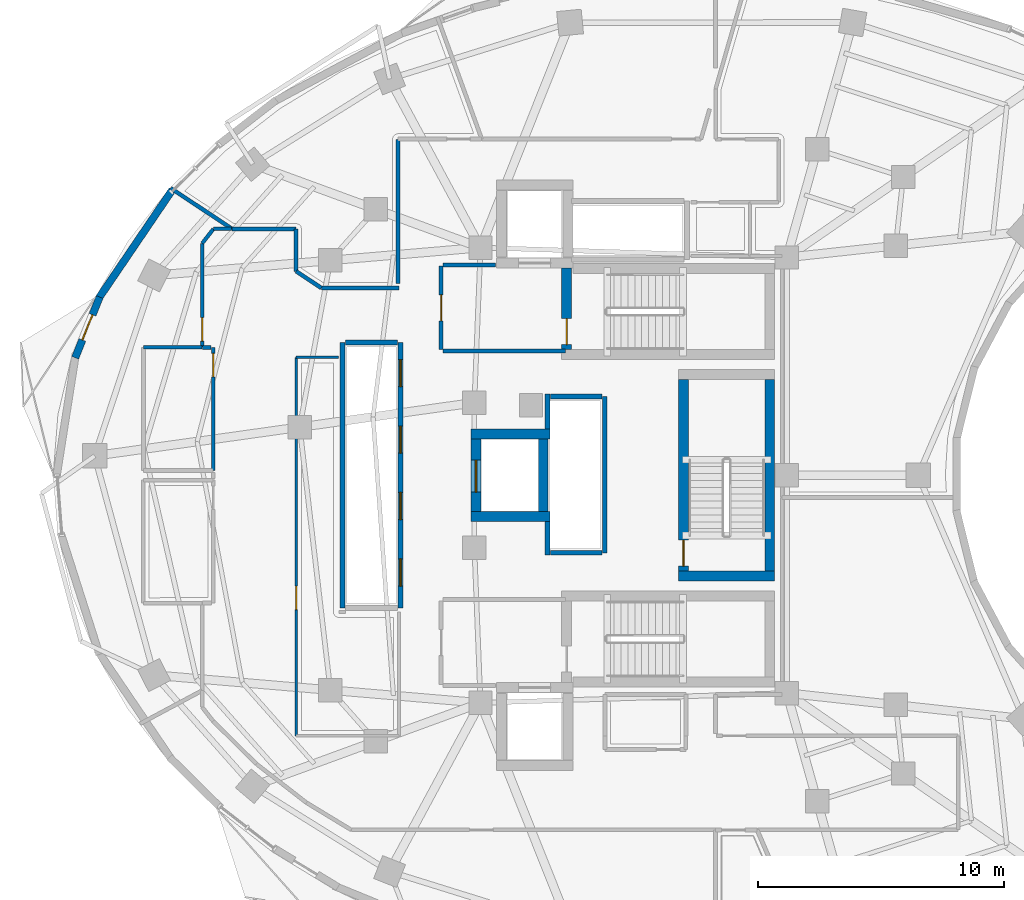
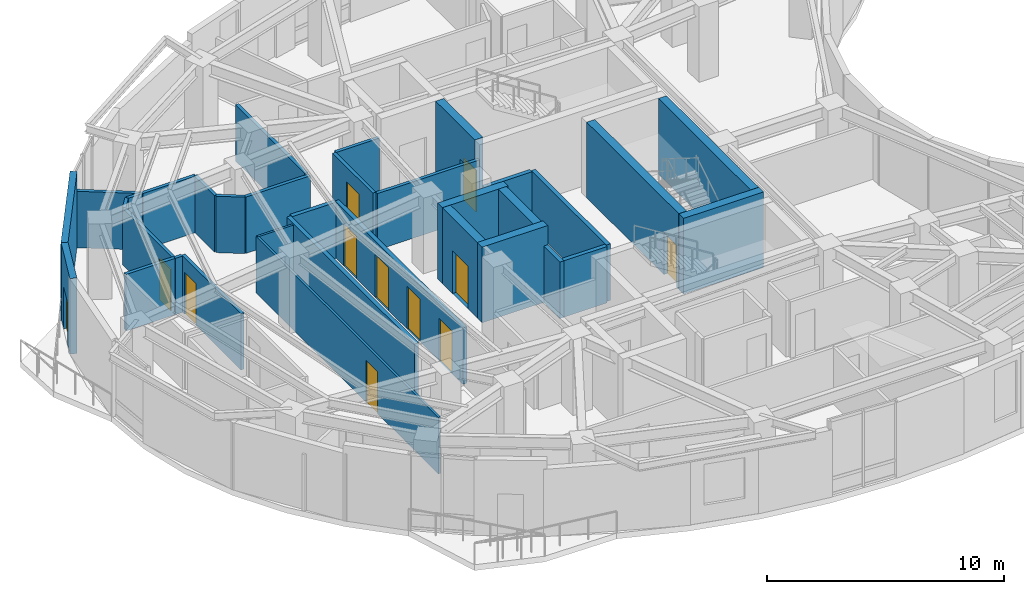
# One storey, part 8 of 13: 35 walls, 12 doors, 12 openings.
"""IFC4 building model written with IfcOpenShell, lengths in metres."""

from ifc_helpers import new_model, si_unit, direction, frame, frame_2d, origin, place, context, subcontext, project, spatial, rectangle, extrude, material, layer, layer_set, type_object, element, fill, save


model = new_model("IFC4")

# Units and contexts
model_context = context("Model", 3, precision=1e-05, world=origin(), true_north=direction((0.0, 1.0)))
body_context = subcontext(model_context, "Body", "Model", "MODEL_VIEW")
ifc_project = project(units=[si_unit("LENGTHUNIT", "METRE"), si_unit("AREAUNIT", "SQUARE_METRE"), si_unit("VOLUMEUNIT", "CUBIC_METRE"), si_unit("PLANEANGLEUNIT", "RADIAN"), si_unit("MASSUNIT", "GRAM", prefix="KILO")], contexts=[model_context])

# Site, building, storey
site_placement = place(None, origin())
site = spatial("IfcSite", under=ifc_project, at=site_placement, CompositionType="ELEMENT")
building_placement = place(site_placement, origin())
building = spatial("IfcBuilding", under=site, at=building_placement, Name="Korentha Bioscience Tower", CompositionType="ELEMENT")
storey_placement = place(building_placement, frame((0.0, 0.0, 171.0)))
storey = spatial("IfcBuildingStorey", under=building, at=storey_placement, Name="L39", CompositionType="ELEMENT", Elevation=171.0)

# Wall, opening, door
ifc_material_1 = material(Name="Double-Stud Acoustic Gypsum", Category="gypsum")
ifc_layer_1 = layer(ifc_material_1, 0.14990234375, Name="Double-Stud Acoustic Gypsum")
ifc_layer_set_1 = layer_set([ifc_layer_1], Name="Double-Stud Acoustic Gypsum (IW-L150)")
wall_type_1 = type_object("IfcWallType", Name="Acoustic Laboratory Partition Wall 150", PredefinedType="PARTITIONING", material=ifc_layer_set_1)
wall_1_placement = place(storey_placement, frame((13.7900390625, 36.41748046875, 0.0), z_axis=(0.0, 0.0, 1.0), x_axis=(0.0, -1.0, 0.0)))
wall_1 = element("IfcWall", 1, at=wall_1_placement, inside=storey, type_object=wall_type_1, Name="L39 Epidemiology Modelling Studio 08 Entrance Wall", PredefinedType="PARTITIONING", context=body_context, shape_type="SweptSolid", body=[
    extrude(rectangle(XDim=4.20751953125, YDim=0.14990234375, at=frame_2d((2.103759765625, 0.0))), origin(), (0.0, 0.0, 1.0), 2.909912109375),
])
opening_1_placement = place(wall_1_placement, frame((3.017333984375, 0.0, 0.0)))
opening_1 = element("IfcOpeningElement", 2, at=opening_1_placement, cuts=wall_1, Name="Opening ID-10L", PredefinedType="OPENING", context=body_context, shape_type="SweptSolid", body=[
    extrude(rectangle(XDim=0.949951171875, YDim=2.14990234375, at=frame_2d((0.47509765625, 1.074951171875))), frame((0.0, 0.08984375, 0.0), z_axis=(0.0, -1.0, 0.0), x_axis=(1.0, 0.0, 0.0)), (0.0, 0.0, 1.0), 0.1796875),
])
ifc_material_2 = material(Name="Phenolic Laminate Timber Core", Category="wood")
door_type_1 = type_object("IfcDoorType", Name="Laboratory Single Leaf Door 950x2150 Left", OperationType="SINGLE_SWING_LEFT", PredefinedType="DOOR", material=ifc_material_2)
door_1_placement = place(opening_1_placement, origin())
door_1 = element("IfcDoor", 3, at=door_1_placement, inside=storey, type_object=door_type_1, Name="L39 Epidemiology Modelling Studio 08 Door", OperationType="SINGLE_SWING_LEFT", OverallHeight=2.14990234375, OverallWidth=0.949951171875, PredefinedType="DOOR", context=body_context, shape_type="SweptSolid", body=[
    extrude(rectangle(XDim=0.949951171875, YDim=2.14990234375, at=frame_2d((0.47509765625, 1.074951171875))), frame((0.0, 0.02490234375, 0.0), z_axis=(0.0, -1.0, 0.0), x_axis=(1.0, 0.0, 0.0)), (0.0, 0.0, 1.0), 0.050048828125),
])
fill(opening_1, door_1)

# Walls
wall_2_placement = place(storey_placement, frame((14.9912109375, 37.010009765625, 0.0), z_axis=(0.0, 0.0, 1.0), x_axis=(-1.0, 0.0, 0.0)))
element("IfcWall", 4, at=wall_2_placement, inside=storey, type_object=wall_type_1, Name="L39 Interior Partition 061", PredefinedType="PARTITIONING", context=body_context, shape_type="SweptSolid", body=[
    extrude(rectangle(XDim=0.73583984375, YDim=0.14990234375, at=frame_2d((0.367919921875, 0.0))), origin(), (0.0, 0.0, 1.0), 2.909912109375),
])
wall_3_placement = place(storey_placement, frame((14.24755859375, 37.006103515625, 0.0), z_axis=(0.0, 0.0, 1.0), x_axis=(-0.616041172792, -0.787713954063, 0.0)))
element("IfcWall", 5, at=wall_3_placement, inside=storey, type_object=wall_type_1, Name="L39 Interior Partition 062", PredefinedType="PARTITIONING", context=body_context, shape_type="SweptSolid", body=[
    extrude(rectangle(XDim=0.739501953125, YDim=0.14990234375, at=frame_2d((0.36962890625, 0.0))), origin(), (0.0, 0.0, 1.0), 2.909912109375),
])

# Wall, opening, door
ifc_material_3 = material(Name="Fire-Rated Framed Glass", Category="glass")
ifc_layer_2 = layer(ifc_material_3, 0.110107421875, Name="Fire-Rated Framed Glass")
ifc_layer_set_2 = layer_set([ifc_layer_2], Name="Fire-Rated Framed Glass (IW-G110)")
wall_type_2 = type_object("IfcWallType", Name="Demountable Glazed Office Partition 110", PredefinedType="MOVABLE", material=ifc_layer_set_2)
wall_4_placement = place(storey_placement, frame((17.610107421875, 16.409912109375, 0.0), z_axis=(0.0, 0.0, 1.0), x_axis=(0.0, 1.0, 0.0)))
wall_4 = element("IfcWall", 6, at=wall_4_placement, inside=storey, type_object=wall_type_2, Name="L39 Research Colloquium Seminar Room 01 Entrance Wall", PredefinedType="MOVABLE", context=body_context, shape_type="SweptSolid", body=[
    extrude(rectangle(XDim=15.380126953125, YDim=0.110107421875, at=frame_2d((7.68994140625, 0.0))), origin(), (0.0, 0.0, 1.0), 2.909912109375),
])
opening_2_placement = place(wall_4_placement, frame((5.134521484375, 0.0, 0.0)))
opening_2 = element("IfcOpeningElement", 7, at=opening_2_placement, cuts=wall_4, Name="Opening ID-10R", PredefinedType="OPENING", context=body_context, shape_type="SweptSolid", body=[
    extrude(rectangle(XDim=0.949951171875, YDim=2.14990234375, at=frame_2d((0.47509765625, 1.074951171875))), frame((0.0, 0.06982421875, 0.0), z_axis=(0.0, -1.0, 0.0), x_axis=(1.0, 0.0, 0.0)), (0.0, 0.0, 1.0), 0.139892578125),
])
door_type_2 = type_object("IfcDoorType", Name="Laboratory Single Leaf Door 950x2150 Right", OperationType="SINGLE_SWING_RIGHT", PredefinedType="DOOR", material=ifc_material_2)
door_2_placement = place(opening_2_placement, origin())
door_2 = element("IfcDoor", 8, at=door_2_placement, inside=storey, type_object=door_type_2, Name="L39 Research Colloquium Seminar Room 01 Door", OperationType="SINGLE_SWING_RIGHT", OverallHeight=2.14990234375, OverallWidth=0.949951171875, PredefinedType="DOOR", context=body_context, shape_type="SweptSolid", body=[
    extrude(rectangle(XDim=0.949951171875, YDim=2.14990234375, at=frame_2d((0.47509765625, 1.074951171875))), frame((0.0, 0.02490234375, 0.0), z_axis=(0.0, -1.0, 0.0), x_axis=(1.0, 0.0, 0.0)), (0.0, 0.0, 1.0), 0.050048828125),
])
fill(opening_2, door_2)

# Wall
wall_5_placement = place(storey_placement, frame((17.610107421875, 31.7900390625, 0.0), z_axis=(0.0, 0.0, 1.0), x_axis=(1.0, 0.0, 0.0)))
element("IfcWall", 9, at=wall_5_placement, inside=storey, type_object=wall_type_2, Name="L39 Interior Partition 031", PredefinedType="MOVABLE", context=body_context, shape_type="SweptSolid", body=[
    extrude(rectangle(XDim=1.72998046875, YDim=0.110107421875, at=frame_2d((0.864990234375, 0.0))), origin(), (0.0, 0.0, 1.0), 2.909912109375),
])

# Wall, opening, door
ifc_material_4 = material(Name="Gypsum-Clad Steel Stud", Category="steel")
ifc_layer_3 = layer(ifc_material_4, 0.159912109375, Name="Gypsum-Clad Steel Stud")
ifc_layer_set_3 = layer_set([ifc_layer_3], Name="Gypsum-Clad Steel Stud (IW-C160)")
wall_type_3 = type_object("IfcWallType", Name="Fire-Rated Corridor Partition Wall 160", PredefinedType="PARTITIONING", material=ifc_layer_set_3)
wall_6_placement = place(storey_placement, frame((23.5, 32.10009765625, 0.0), z_axis=(0.0, 0.0, 1.0), x_axis=(0.0, 1.0, 0.0)))
wall_6 = element("IfcWall", 10, at=wall_6_placement, inside=storey, type_object=wall_type_3, Name="L39 FFLN-CW Rated Enclosure Wall", PredefinedType="PARTITIONING", context=body_context, shape_type="SweptSolid", body=[
    extrude(rectangle(XDim=3.39990234375, YDim=0.159912109375, at=frame_2d((1.699951171875, 0.0))), origin(), (0.0, 0.0, 1.0), 2.909912109375),
])
opening_3_placement = place(wall_6_placement, frame((1.175048828125, 0.0, 0.0)))
opening_3 = element("IfcOpeningElement", 11, at=opening_3_placement, cuts=wall_6, Name="Opening FD-90R", PredefinedType="OPENING", context=body_context, shape_type="SweptSolid", body=[
    extrude(rectangle(XDim=1.050048828125, YDim=2.14990234375, at=frame_2d((0.52490234375, 1.074951171875))), frame((0.0, 0.0947265625, 0.0), z_axis=(0.0, -1.0, 0.0), x_axis=(1.0, 0.0, 0.0)), (0.0, 0.0, 1.0), 0.189697265625),
])
ifc_material_5 = material(Name="Powder-Coated Fire-Rated Steel", Category="steel")
door_type_3 = type_object("IfcDoorType", Name="Stairwell Fire Exit Door 1050x2150 Right", OperationType="SINGLE_SWING_RIGHT", PredefinedType="DOOR", material=ifc_material_5)
door_3_placement = place(opening_3_placement, origin())
door_3 = element("IfcDoor", 12, at=door_3_placement, inside=storey, type_object=door_type_3, Name="L39 North Firefighting Lobby Door", OperationType="SINGLE_SWING_RIGHT", OverallHeight=2.14990234375, OverallWidth=1.050048828125, PredefinedType="DOOR", context=body_context, shape_type="SweptSolid", body=[
    extrude(rectangle(XDim=1.050048828125, YDim=2.14990234375, at=frame_2d((0.52490234375, 1.074951171875))), frame((0.0, 0.02490234375, 0.0), z_axis=(0.0, -1.0, 0.0), x_axis=(1.0, 0.0, 0.0)), (0.0, 0.0, 1.0), 0.050048828125),
])
fill(opening_3, door_3)

# Walls
wall_7_placement = place(storey_placement, frame((23.580078125, 32.050048828125, 0.0), z_axis=(0.0, 0.0, 1.0), x_axis=(1.0, 0.0, 0.0)))
element("IfcWall", 13, at=wall_7_placement, inside=storey, type_object=wall_type_3, Name="L39 Firefighting Lobby Return Wall FFLN-S", PredefinedType="PARTITIONING", context=body_context, shape_type="SweptSolid", body=[
    extrude(rectangle(XDim=4.969970703125, YDim=0.159912109375, at=frame_2d((2.48486328125, 0.0))), origin(), (0.0, 0.0, 1.0), 2.909912109375),
])
wall_8_placement = place(storey_placement, frame((23.580078125, 35.550048828125, 0.0), z_axis=(0.0, 0.0, 1.0), x_axis=(1.0, 0.0, 0.0)))
element("IfcWall", 14, at=wall_8_placement, inside=storey, type_object=wall_type_3, Name="L39 Firefighting Lobby Return Wall FFLN-N", PredefinedType="PARTITIONING", context=body_context, shape_type="SweptSolid", body=[
    extrude(rectangle(XDim=2.119873046875, YDim=0.159912109375, at=frame_2d((1.06005859375, 0.0))), origin(), (0.0, 0.0, 1.0), 2.909912109375),
])

# Wall, opening, door
wall_9_placement = place(storey_placement, frame((14.239990234375, 32.18994140625, 0.0), z_axis=(0.0, 0.0, 1.0), x_axis=(0.0, -1.0, 0.0)))
wall_9 = element("IfcWall", 15, at=wall_9_placement, inside=storey, type_object=wall_type_3, Name="L39 Reclaimed Bank-1 Glassware Store Entrance Wall", PredefinedType="PARTITIONING", context=body_context, shape_type="SweptSolid", body=[
    extrude(rectangle(XDim=4.989990234375, YDim=0.159912109375, at=frame_2d((2.4951171875, 0.0))), origin(), (0.0, 0.0, 1.0), 2.909912109375),
])
opening_4_placement = place(wall_9_placement, frame((0.239990234375, 0.0, 0.0)))
opening_4 = element("IfcOpeningElement", 16, at=opening_4_placement, cuts=wall_9, Name="Opening ID-10L", PredefinedType="OPENING", context=body_context, shape_type="SweptSolid", body=[
    extrude(rectangle(XDim=0.949951171875, YDim=2.14990234375, at=frame_2d((0.47509765625, 1.074951171875))), frame((0.0, 0.0947265625, 0.0), z_axis=(0.0, -1.0, 0.0), x_axis=(1.0, 0.0, 0.0)), (0.0, 0.0, 1.0), 0.189697265625),
])
door_4_placement = place(opening_4_placement, origin())
door_4 = element("IfcDoor", 17, at=door_4_placement, inside=storey, type_object=door_type_1, Name="L39 Reclaimed Bank-1 Glassware Store Door", OperationType="SINGLE_SWING_LEFT", OverallHeight=2.14990234375, OverallWidth=0.949951171875, PredefinedType="DOOR", context=body_context, shape_type="SweptSolid", body=[
    extrude(rectangle(XDim=0.949951171875, YDim=2.14990234375, at=frame_2d((0.47509765625, 1.074951171875))), frame((0.0, 0.02490234375, 0.0), z_axis=(0.0, -1.0, 0.0), x_axis=(1.0, 0.0, 0.0)), (0.0, 0.0, 1.0), 0.050048828125),
])
fill(opening_4, door_4)

# Walls
wall_10_placement = place(storey_placement, frame((13.800048828125, 32.18994140625, 0.0), z_axis=(0.0, 0.0, 1.0), x_axis=(1.0, 0.0, 0.0)))
element("IfcWall", 18, at=wall_10_placement, inside=storey, type_object=wall_type_3, Name="L39 Interior Partition 024", PredefinedType="PARTITIONING", context=body_context, shape_type="SweptSolid", body=[
    extrude(rectangle(XDim=0.35693359375, YDim=0.159912109375, at=frame_2d((0.178466796875, 0.0))), origin(), (0.0, 0.0, 1.0), 2.909912109375),
])
wall_11_placement = place(storey_placement, frame((11.39990234375, 32.199951171875, 0.0), z_axis=(0.0, 0.0, 1.0), x_axis=(1.0, 0.0, 0.0)))
element("IfcWall", 19, at=wall_11_placement, inside=storey, type_object=wall_type_3, Name="L39 Interior Partition 027", PredefinedType="PARTITIONING", context=body_context, shape_type="SweptSolid", body=[
    extrude(rectangle(XDim=2.39013671875, YDim=0.159912109375, at=frame_2d((1.195068359375, 0.0))), origin(), (0.0, 0.0, 1.0), 2.909912109375),
])
wall_12_placement = place(storey_placement, frame((21.739990234375, 40.64990234375, 0.0), z_axis=(0.0, 0.0, 1.0), x_axis=(0.0, -1.0, 0.0)))
element("IfcWall", 20, at=wall_12_placement, inside=storey, type_object=wall_type_3, Name="L39 Interior Partition 055", PredefinedType="PARTITIONING", context=body_context, shape_type="SweptSolid", body=[
    extrude(rectangle(XDim=5.849853515625, YDim=0.159912109375, at=frame_2d((2.9248046875, 0.0))), origin(), (0.0, 0.0, 1.0), 2.909912109375),
])
wall_13_placement = place(storey_placement, frame((21.7900390625, 34.610107421875, 0.0), z_axis=(0.0, 0.0, 1.0), x_axis=(-1.0, 0.0, 0.0)))
element("IfcWall", 21, at=wall_13_placement, inside=storey, type_object=wall_type_3, Name="L39 Interior Partition 056", PredefinedType="PARTITIONING", context=body_context, shape_type="SweptSolid", body=[
    extrude(rectangle(XDim=3.15673828125, YDim=0.159912109375, at=frame_2d((1.578369140625, 0.0))), origin(), (0.0, 0.0, 1.0), 2.909912109375),
])
wall_14_placement = place(storey_placement, frame((18.63330078125, 34.610107421875, 0.0), z_axis=(0.0, 0.0, 1.0), x_axis=(-0.833790799357, 0.552080522123, 0.0)))
element("IfcWall", 22, at=wall_14_placement, inside=storey, type_object=wall_type_3, Name="L39 Interior Partition 057", PredefinedType="PARTITIONING", context=body_context, shape_type="SweptSolid", body=[
    extrude(rectangle(XDim=1.22705078125, YDim=0.159912109375, at=frame_2d((0.613525390625, 0.0))), origin(), (0.0, 0.0, 1.0), 2.909912109375),
])
wall_15_placement = place(storey_placement, frame((17.610107421875, 35.28759765625, 0.0), z_axis=(0.0, 0.0, 1.0), x_axis=(0.0, 1.0, 0.0)))
element("IfcWall", 23, at=wall_15_placement, inside=storey, type_object=wall_type_3, Name="L39 Interior Partition 058", PredefinedType="PARTITIONING", context=body_context, shape_type="SweptSolid", body=[
    extrude(rectangle(XDim=1.71240234375, YDim=0.159912109375, at=frame_2d((0.856201171875, 0.0))), origin(), (0.0, 0.0, 1.0), 2.909912109375),
])
wall_16_placement = place(storey_placement, frame((17.60009765625, 37.010009765625, 0.0), z_axis=(0.0, 0.0, 1.0), x_axis=(-1.0, 0.0, 0.0)))
element("IfcWall", 24, at=wall_16_placement, inside=storey, type_object=wall_type_3, Name="L39 Interior Partition 059", PredefinedType="PARTITIONING", context=body_context, shape_type="SweptSolid", body=[
    extrude(rectangle(XDim=2.590576171875, YDim=0.159912109375, at=frame_2d((1.29541015625, 0.0))), origin(), (0.0, 0.0, 1.0), 2.909912109375),
])
wall_17_placement = place(storey_placement, frame((15.009521484375, 37.010009765625, 0.0), z_axis=(0.0, 0.0, 1.0), x_axis=(-0.833750277905, 0.552141715589, 0.0)))
element("IfcWall", 25, at=wall_17_placement, inside=storey, type_object=wall_type_3, Name="L39 Interior Partition 060", PredefinedType="PARTITIONING", context=body_context, shape_type="SweptSolid", body=[
    extrude(rectangle(XDim=2.997802734375, YDim=0.159912109375, at=frame_2d((1.4990234375, 0.0))), origin(), (0.0, 0.0, 1.0), 2.909912109375),
])

# Wall, opening, door
ifc_material_6 = material(Name="Honed Limestone Precast Concrete C40", Category="masonry")
ifc_layer_4 = layer(ifc_material_6, 0.300048828125, Name="Honed Limestone Precast Concrete C40")
ifc_layer_set_4 = layer_set([ifc_layer_4], Name="Honed Limestone Precast Concrete C40 (EW-ST300)")
wall_type_4 = type_object("IfcWallType", Name="Honed Limestone Cavity Spandrel Wall 300", PredefinedType="STANDARD", material=ifc_layer_set_4)
wall_18_placement = place(storey_placement, frame((9.625732421875, 34.2421875, 0.0), z_axis=(0.0, 0.0, 1.0), x_axis=(-0.373983610438, -0.927435312636, 0.0)))
wall_18 = element("IfcWall", 26, at=wall_18_placement, inside=storey, type_object=wall_type_4, Name="L39 Balcony Threshold Wall 02", PredefinedType="STANDARD", context=body_context, shape_type="SweptSolid", body=[
    extrude(rectangle(XDim=2.660888671875, YDim=0.300048828125, at=frame_2d((1.33056640625, 0.0))), origin(), (0.0, 0.0, 1.0), 3.89990234375),
])
opening_5_placement = place(wall_18_placement, frame((0.780517578125, 0.0, 0.0)))
opening_5 = element("IfcOpeningElement", 27, at=opening_5_placement, cuts=wall_18, Name="Opening BD-11R", PredefinedType="OPENING", context=body_context, shape_type="SweptSolid", body=[
    extrude(rectangle(XDim=1.10009765625, YDim=2.14990234375, at=frame_2d((0.550048828125, 1.074951171875))), frame((0.0, 0.1650390625, 0.0), z_axis=(0.0, -1.0, 0.0), x_axis=(1.0, 0.0, 0.0)), (0.0, 0.0, 1.0), 0.329833984375),
])
ifc_material_7 = material(Name="Thermally Broken Glazed Aluminium", Category="aluminium")
door_type_4 = type_object("IfcDoorType", Name="Balcony Terrace Glazed Door 1100x2150 Right", OperationType="SINGLE_SWING_RIGHT", PredefinedType="DOOR", material=ifc_material_7)
door_5_placement = place(opening_5_placement, origin())
door_5 = element("IfcDoor", 28, at=door_5_placement, inside=storey, type_object=door_type_4, Name="L39 Balcony Access Door 02", OperationType="SINGLE_SWING_RIGHT", OverallHeight=2.14990234375, OverallWidth=1.10009765625, PredefinedType="DOOR", context=body_context, shape_type="SweptSolid", body=[
    extrude(rectangle(XDim=1.10009765625, YDim=2.14990234375, at=frame_2d((0.550048828125, 1.074951171875))), frame((0.0, 0.02490234375, 0.0), z_axis=(0.0, -1.0, 0.0), x_axis=(1.0, 0.0, 0.0)), (0.0, 0.0, 1.0), 0.050048828125),
])
fill(opening_5, door_5)

# Walls
wall_19_placement = place(storey_placement, frame((12.580078125, 38.6005859375, 0.0), z_axis=(0.0, 0.0, 1.0), x_axis=(-0.561663900064, -0.827365495634, 0.0)))
element("IfcWall", 29, at=wall_19_placement, inside=storey, type_object=wall_type_4, Name="L39 Limestone Perimeter Closure Wall 14", PredefinedType="STANDARD", context=body_context, shape_type="SweptSolid", body=[
    extrude(rectangle(XDim=5.437744140625, YDim=0.300048828125, at=frame_2d((2.71875, 0.0))), origin(), (0.0, 0.0, 1.0), 3.89990234375),
])
ifc_material_8 = material(Name="Autoclaved Aerated Concrete Block C25", Category="concrete")
ifc_layer_5 = layer(ifc_material_8, 0.199951171875, Name="Autoclaved Aerated Concrete Block C25")
ifc_layer_set_5 = layer_set([ifc_layer_5], Name="Autoclaved Aerated Concrete Block C25 (IW-S200)")
wall_type_5 = type_object("IfcWallType", Name="Lift and Riser Shaft Enclosure Wall 200", PredefinedType="PARTITIONING", material=ifc_layer_set_5)
wall_20_placement = place(storey_placement, frame((19.5, 21.60009765625, 0.0), z_axis=(0.0, 0.0, 1.0), x_axis=(0.0, 1.0, 0.0)))
element("IfcWall", 30, at=wall_20_placement, inside=storey, type_object=wall_type_5, Name="L39 Lift Bank MID Shaft Wall -X", PredefinedType="PARTITIONING", context=body_context, shape_type="SweptSolid", body=[
    extrude(rectangle(XDim=10.7998046875, YDim=0.199951171875, at=frame_2d((5.39990234375, 0.0))), origin(), (0.0, 0.0, 1.0), 2.909912109375),
])

# Wall, openings, doors
wall_21_placement = place(storey_placement, frame((21.85009765625, 21.60009765625, 0.0), z_axis=(0.0, 0.0, 1.0), x_axis=(0.0, 1.0, 0.0)))
wall_21 = element("IfcWall", 31, at=wall_21_placement, inside=storey, type_object=wall_type_5, Name="L39 Lift Bank MID Shaft Wall +X", PredefinedType="PARTITIONING", context=body_context, shape_type="SweptSolid", body=[
    extrude(rectangle(XDim=10.7998046875, YDim=0.199951171875, at=frame_2d((5.39990234375, 0.0))), origin(), (0.0, 0.0, 1.0), 2.909912109375),
])
opening_6_placement = place(wall_21_placement, frame((0.89990234375, 0.0, 0.0)))
opening_6 = element("IfcOpeningElement", 32, at=opening_6_placement, cuts=wall_21, Name="Opening LD-11", PredefinedType="OPENING", context=body_context, shape_type="SweptSolid", body=[
    extrude(rectangle(XDim=1.10009765625, YDim=2.199951171875, at=frame_2d((0.550048828125, 1.10009765625))), frame((0.0, 0.11474609375, 0.0), z_axis=(0.0, -1.0, 0.0), x_axis=(1.0, 0.0, 0.0)), (0.0, 0.0, 1.0), 0.229736328125),
])
opening_7_placement = place(wall_21_placement, frame((3.60009765625, 0.0, 0.0)))
opening_7 = element("IfcOpeningElement", 33, at=opening_7_placement, cuts=wall_21, Name="Opening LD-11", PredefinedType="OPENING", context=body_context, shape_type="SweptSolid", body=[
    extrude(rectangle(XDim=1.10009765625, YDim=2.199951171875, at=frame_2d((0.550048828125, 1.10009765625))), frame((0.0, 0.11474609375, 0.0), z_axis=(0.0, -1.0, 0.0), x_axis=(1.0, 0.0, 0.0)), (0.0, 0.0, 1.0), 0.229736328125),
])
opening_8_placement = place(wall_21_placement, frame((6.300048828125, 0.0, 0.0)))
opening_8 = element("IfcOpeningElement", 34, at=opening_8_placement, cuts=wall_21, Name="Opening LD-11", PredefinedType="OPENING", context=body_context, shape_type="SweptSolid", body=[
    extrude(rectangle(XDim=1.10009765625, YDim=2.199951171875, at=frame_2d((0.550048828125, 1.10009765625))), frame((0.0, 0.11474609375, 0.0), z_axis=(0.0, -1.0, 0.0), x_axis=(1.0, 0.0, 0.0)), (0.0, 0.0, 1.0), 0.229736328125),
])
opening_9_placement = place(wall_21_placement, frame((9.0, 0.0, 0.0)))
opening_9 = element("IfcOpeningElement", 35, at=opening_9_placement, cuts=wall_21, Name="Opening LD-11", PredefinedType="OPENING", context=body_context, shape_type="SweptSolid", body=[
    extrude(rectangle(XDim=1.10009765625, YDim=2.199951171875, at=frame_2d((0.550048828125, 1.10009765625))), frame((0.0, 0.11474609375, 0.0), z_axis=(0.0, -1.0, 0.0), x_axis=(1.0, 0.0, 0.0)), (0.0, 0.0, 1.0), 0.229736328125),
])
ifc_material_9 = material(Name="Brushed Stainless Steel 304", Category="steel")
door_type_5 = type_object("IfcDoorType", Name="Passenger Lift Sliding Landing Door 1100x2200", OperationType="DOUBLE_DOOR_SLIDING", PredefinedType="DOOR", material=ifc_material_9)
door_6_placement = place(opening_6_placement, origin())
door_6 = element("IfcDoor", 36, at=door_6_placement, inside=storey, type_object=door_type_5, Name="L39 PL-M1 Sliding Lift Landing Door", OperationType="DOUBLE_DOOR_SLIDING", OverallHeight=2.199951171875, OverallWidth=1.10009765625, PredefinedType="DOOR", context=body_context, shape_type="SweptSolid", body=[
    extrude(rectangle(XDim=1.10009765625, YDim=2.199951171875, at=frame_2d((0.550048828125, 1.10009765625))), frame((0.0, 0.02490234375, 0.0), z_axis=(0.0, -1.0, 0.0), x_axis=(1.0, 0.0, 0.0)), (0.0, 0.0, 1.0), 0.050048828125),
])
fill(opening_6, door_6)
door_7_placement = place(opening_7_placement, origin())
door_7 = element("IfcDoor", 37, at=door_7_placement, inside=storey, type_object=door_type_5, Name="L39 PL-M2 Sliding Lift Landing Door", OperationType="DOUBLE_DOOR_SLIDING", OverallHeight=2.199951171875, OverallWidth=1.10009765625, PredefinedType="DOOR", context=body_context, shape_type="SweptSolid", body=[
    extrude(rectangle(XDim=1.10009765625, YDim=2.199951171875, at=frame_2d((0.550048828125, 1.10009765625))), frame((0.0, 0.02490234375, 0.0), z_axis=(0.0, -1.0, 0.0), x_axis=(1.0, 0.0, 0.0)), (0.0, 0.0, 1.0), 0.050048828125),
])
fill(opening_7, door_7)
door_8_placement = place(opening_8_placement, origin())
door_8 = element("IfcDoor", 38, at=door_8_placement, inside=storey, type_object=door_type_5, Name="L39 PL-M3 Sliding Lift Landing Door", OperationType="DOUBLE_DOOR_SLIDING", OverallHeight=2.199951171875, OverallWidth=1.10009765625, PredefinedType="DOOR", context=body_context, shape_type="SweptSolid", body=[
    extrude(rectangle(XDim=1.10009765625, YDim=2.199951171875, at=frame_2d((0.550048828125, 1.10009765625))), frame((0.0, 0.02490234375, 0.0), z_axis=(0.0, -1.0, 0.0), x_axis=(1.0, 0.0, 0.0)), (0.0, 0.0, 1.0), 0.050048828125),
])
fill(opening_8, door_8)
door_9_placement = place(opening_9_placement, origin())
door_9 = element("IfcDoor", 39, at=door_9_placement, inside=storey, type_object=door_type_5, Name="L39 PL-M4 Sliding Lift Landing Door", OperationType="DOUBLE_DOOR_SLIDING", OverallHeight=2.199951171875, OverallWidth=1.10009765625, PredefinedType="DOOR", context=body_context, shape_type="SweptSolid", body=[
    extrude(rectangle(XDim=1.10009765625, YDim=2.199951171875, at=frame_2d((0.550048828125, 1.10009765625))), frame((0.0, 0.02490234375, 0.0), z_axis=(0.0, -1.0, 0.0), x_axis=(1.0, 0.0, 0.0)), (0.0, 0.0, 1.0), 0.050048828125),
])
fill(opening_9, door_9)

# Walls
wall_22_placement = place(storey_placement, frame((19.6201171875, 32.39990234375, 0.0), z_axis=(0.0, 0.0, 1.0), x_axis=(1.0, 0.0, 0.0)))
element("IfcWall", 40, at=wall_22_placement, inside=storey, type_object=wall_type_5, Name="L39 Lift Bank MID Shaft Wall +Y", PredefinedType="PARTITIONING", context=body_context, shape_type="SweptSolid", body=[
    extrude(rectangle(XDim=2.10986328125, YDim=0.199951171875, at=frame_2d((1.054931640625, 0.0))), origin(), (0.0, 0.0, 1.0), 2.909912109375),
])
wall_23_placement = place(storey_placement, frame((27.830078125, 23.75, 0.0), z_axis=(0.0, 0.0, 1.0), x_axis=(0.0, 1.0, 0.0)))
element("IfcWall", 41, at=wall_23_placement, inside=storey, type_object=wall_type_5, Name="L39 Lift Bank HIGH Shaft Wall -XS", PredefinedType="PARTITIONING", context=body_context, shape_type="SweptSolid", body=[
    extrude(rectangle(XDim=1.365966796875, YDim=0.199951171875, at=frame_2d((0.68310546875, 0.0))), origin(), (0.0, 0.0, 1.0), 2.909912109375),
])
wall_24_placement = place(storey_placement, frame((27.830078125, 28.884033203125, 0.0), z_axis=(0.0, 0.0, 1.0), x_axis=(0.0, 1.0, 0.0)))
element("IfcWall", 42, at=wall_24_placement, inside=storey, type_object=wall_type_5, Name="L39 Lift Bank HIGH Shaft Wall -XN", PredefinedType="PARTITIONING", context=body_context, shape_type="SweptSolid", body=[
    extrude(rectangle(XDim=1.416015625, YDim=0.199951171875, at=frame_2d((0.7080078125, 0.0))), origin(), (0.0, 0.0, 1.0), 2.909912109375),
])
wall_25_placement = place(storey_placement, frame((30.14990234375, 23.85009765625, 0.0), z_axis=(0.0, 0.0, 1.0), x_axis=(0.0, 1.0, 0.0)))
element("IfcWall", 43, at=wall_25_placement, inside=storey, type_object=wall_type_5, Name="L39 Lift Bank HIGH Shaft Wall +X", PredefinedType="PARTITIONING", context=body_context, shape_type="SweptSolid", body=[
    extrude(rectangle(XDim=6.349853515625, YDim=0.199951171875, at=frame_2d((3.1748046875, 0.0))), origin(), (0.0, 0.0, 1.0), 2.909912109375),
])
for number, where, z_axis, x_axis, name in (
    (44, (27.93408203125, 23.85009765625, 0.0), (0.0, 0.0, 1.0), (1.0, 0.0, 0.0), "L39 Lift Bank HIGH Shaft Wall -Y"),
    (45, (27.93408203125, 30.199951171875, 0.0), (0.0, 0.0, 1.0), (1.0, 0.0, 0.0), "L39 Lift Bank HIGH Shaft Wall +Y"),
):
    element("IfcWall", number, at=place(storey_placement, frame(where, z_axis=z_axis, x_axis=x_axis)), inside=storey, type_object=wall_type_5, Name=name, PredefinedType="PARTITIONING", context=body_context, shape_type="SweptSolid", body=[
        extrude(rectangle(XDim=2.095947265625, YDim=0.199951171875, at=frame_2d((1.0478515625, 0.0))), origin(), (0.0, 0.0, 1.0), 2.909912109375),
    ])

# Wall, opening, door
ifc_material_10 = material(Name="Concrete C65", Category="concrete")
ifc_layer_6 = layer(ifc_material_10, 0.39990234375, Name="Concrete C65")
ifc_layer_set_6 = layer_set([ifc_layer_6], Name="Concrete C65 (CW-C65)")
wall_type_6 = type_object("IfcWallType", Name="Mid-Rise Core Shear Wall 400", PredefinedType="SHEAR", material=ifc_layer_set_6)
wall_26_placement = place(storey_placement, frame((28.60009765625, 32.110107421875, 0.0), z_axis=(0.0, 0.0, 1.0), x_axis=(0.0, 1.0, 0.0)))
wall_26 = element("IfcWall", 46, at=wall_26_placement, inside=storey, type_object=wall_type_6, Name="L39 Core Shear Wall ST1-W", PredefinedType="SHEAR", context=body_context, shape_type="SweptSolid", body=[
    extrude(rectangle(XDim=3.307861328125, YDim=0.39990234375, at=frame_2d((1.65380859375, 0.0))), origin(), (0.0, 0.0, 1.0), 3.89990234375),
])
opening_10_placement = place(wall_26_placement, frame((0.199951171875, 0.0, 0.0)))
opening_10 = element("IfcOpeningElement", 47, at=opening_10_placement, cuts=wall_26, Name="Opening FD-90R", PredefinedType="OPENING", context=body_context, shape_type="SweptSolid", body=[
    extrude(rectangle(XDim=1.050048828125, YDim=2.14990234375, at=frame_2d((0.52490234375, 1.074951171875))), frame((0.0, 0.21484375, 0.0), z_axis=(0.0, -1.0, 0.0), x_axis=(1.0, 0.0, 0.0)), (0.0, 0.0, 1.0), 0.4296875),
])
door_10_placement = place(opening_10_placement, origin())
door_10 = element("IfcDoor", 48, at=door_10_placement, inside=storey, type_object=door_type_3, Name="L39 ST-1 Fire Exit Stair Door", OperationType="SINGLE_SWING_RIGHT", OverallHeight=2.14990234375, OverallWidth=1.050048828125, PredefinedType="DOOR", context=body_context, shape_type="SweptSolid", body=[
    extrude(rectangle(XDim=1.050048828125, YDim=2.14990234375, at=frame_2d((0.52490234375, 1.074951171875))), frame((0.0, 0.02490234375, 0.0), z_axis=(0.0, -1.0, 0.0), x_axis=(1.0, 0.0, 0.0)), (0.0, 0.0, 1.0), 0.050048828125),
])
fill(opening_10, door_10)

# Walls
wall_27_placement = place(storey_placement, frame((33.14990234375, 22.89990234375, 0.0), z_axis=(0.0, 0.0, 1.0), x_axis=(1.0, 0.0, 0.0)))
element("IfcWall", 49, at=wall_27_placement, inside=storey, type_object=wall_type_6, Name="L39 Core Shear Wall ST3-S", PredefinedType="SHEAR", context=body_context, shape_type="SweptSolid", body=[
    extrude(rectangle(XDim=3.900146484375, YDim=0.39990234375, at=frame_2d((1.9501953125, 0.0))), origin(), (0.0, 0.0, 1.0), 3.89990234375),
])
wall_28_placement = place(storey_placement, frame((36.85009765625, 23.110107421875, 0.0), z_axis=(0.0, 0.0, 1.0), x_axis=(0.0, 1.0, 0.0)))
element("IfcWall", 50, at=wall_28_placement, inside=storey, type_object=wall_type_6, Name="L39 Core Shear Wall ST3-E", PredefinedType="SHEAR", context=body_context, shape_type="SweptSolid", body=[
    extrude(rectangle(XDim=7.77978515625, YDim=0.39990234375, at=frame_2d((3.889892578125, 0.0))), origin(), (0.0, 0.0, 1.0), 3.89990234375),
])

# Wall, opening, door
wall_29_placement = place(storey_placement, frame((33.35009765625, 23.110107421875, 0.0), z_axis=(0.0, 0.0, 1.0), x_axis=(0.0, 1.0, 0.0)))
wall_29 = element("IfcWall", 51, at=wall_29_placement, inside=storey, type_object=wall_type_6, Name="L39 Core Shear Wall ST3-W", PredefinedType="SHEAR", context=body_context, shape_type="SweptSolid", body=[
    extrude(rectangle(XDim=7.77978515625, YDim=0.39990234375, at=frame_2d((3.889892578125, 0.0))), origin(), (0.0, 0.0, 1.0), 3.89990234375),
])
opening_11_placement = place(wall_29_placement, frame((0.199951171875, 0.0, 0.0)))
opening_11 = element("IfcOpeningElement", 52, at=opening_11_placement, cuts=wall_29, Name="Opening FD-90R", PredefinedType="OPENING", context=body_context, shape_type="SweptSolid", body=[
    extrude(rectangle(XDim=1.050048828125, YDim=2.14990234375, at=frame_2d((0.52490234375, 1.074951171875))), frame((0.0, 0.21484375, 0.0), z_axis=(0.0, -1.0, 0.0), x_axis=(1.0, 0.0, 0.0)), (0.0, 0.0, 1.0), 0.4296875),
])
door_11_placement = place(opening_11_placement, origin())
door_11 = element("IfcDoor", 53, at=door_11_placement, inside=storey, type_object=door_type_3, Name="L39 ST-3 Fire Exit Stair Door", OperationType="SINGLE_SWING_RIGHT", OverallHeight=2.14990234375, OverallWidth=1.050048828125, PredefinedType="DOOR", context=body_context, shape_type="SweptSolid", body=[
    extrude(rectangle(XDim=1.050048828125, YDim=2.14990234375, at=frame_2d((0.52490234375, 1.074951171875))), frame((0.0, 0.02490234375, 0.0), z_axis=(0.0, -1.0, 0.0), x_axis=(1.0, 0.0, 0.0)), (0.0, 0.0, 1.0), 0.050048828125),
])
fill(opening_11, door_11)

# Walls
for number, where, z_axis, x_axis, name in (
    (54, (24.719970703125, 28.679931640625, 0.0), (0.0, 0.0, 1.0), (1.0, 0.0, 0.0), "L39 Core Shear Wall SVL1-N"),
    (55, (24.719970703125, 25.320068359375, 0.0), (0.0, 0.0, 1.0), (1.0, 0.0, 0.0), "L39 Core Shear Wall SVL1-S"),
):
    element("IfcWall", number, at=place(storey_placement, frame(where, z_axis=z_axis, x_axis=x_axis)), inside=storey, type_object=wall_type_6, Name=name, PredefinedType="SHEAR", context=body_context, shape_type="SweptSolid", body=[
        extrude(rectangle(XDim=3.2099609375, YDim=0.39990234375, at=frame_2d((1.60498046875, 0.0))), origin(), (0.0, 0.0, 1.0), 3.89990234375),
    ])

# Wall, opening, door
wall_30_placement = place(storey_placement, frame((24.919921875, 25.52197265625, 0.0), z_axis=(0.0, 0.0, 1.0), x_axis=(0.0, 1.0, 0.0)))
wall_30 = element("IfcWall", 56, at=wall_30_placement, inside=storey, type_object=wall_type_6, Name="L39 Core Shear Wall SVL1-W", PredefinedType="SHEAR", context=body_context, shape_type="SweptSolid", body=[
    extrude(rectangle(XDim=2.9560546875, YDim=0.39990234375, at=frame_2d((1.47802734375, 0.0))), origin(), (0.0, 0.0, 1.0), 3.89990234375),
])
opening_12_placement = place(wall_30_placement, frame((0.7900390625, 0.0, 0.0)))
opening_12 = element("IfcOpeningElement", 57, at=opening_12_placement, cuts=wall_30, Name="Opening LD-13", PredefinedType="OPENING", context=body_context, shape_type="SweptSolid", body=[
    extrude(rectangle(XDim=1.300048828125, YDim=2.199951171875, at=frame_2d((0.64990234375, 1.10009765625))), frame((0.0, 0.21484375, 0.0), z_axis=(0.0, -1.0, 0.0), x_axis=(1.0, 0.0, 0.0)), (0.0, 0.0, 1.0), 0.4296875),
])
ifc_material_11 = material(Name="Brushed Stainless Steel 316", Category="steel")
door_type_6 = type_object("IfcDoorType", Name="Service & Firefighting Lift Landing Door 1300x2300", OperationType="DOUBLE_DOOR_SLIDING", PredefinedType="DOOR", material=ifc_material_11)
door_12_placement = place(opening_12_placement, origin())
door_12 = element("IfcDoor", 58, at=door_12_placement, inside=storey, type_object=door_type_6, Name="L39 SVL-1 Sliding Lift Landing Door", OperationType="DOUBLE_DOOR_SLIDING", OverallHeight=2.199951171875, OverallWidth=1.300048828125, PredefinedType="DOOR", context=body_context, shape_type="SweptSolid", body=[
    extrude(rectangle(XDim=1.300048828125, YDim=2.199951171875, at=frame_2d((0.64990234375, 1.10009765625))), frame((0.0, 0.02490234375, 0.0), z_axis=(0.0, -1.0, 0.0), x_axis=(1.0, 0.0, 0.0)), (0.0, 0.0, 1.0), 0.050048828125),
])
fill(opening_12, door_12)

# Wall
wall_31_placement = place(storey_placement, frame((27.64990234375, 25.52197265625, 0.0), z_axis=(0.0, 0.0, 1.0), x_axis=(0.0, 1.0, 0.0)))
element("IfcWall", 59, at=wall_31_placement, inside=storey, type_object=wall_type_6, Name="L39 Core Shear Wall SVL1-E", PredefinedType="SHEAR", context=body_context, shape_type="SweptSolid", body=[
    extrude(rectangle(XDim=2.9560546875, YDim=0.39990234375, at=frame_2d((1.47802734375, 0.0))), origin(), (0.0, 0.0, 1.0), 3.89990234375),
])

save(model, "model.ifc")
